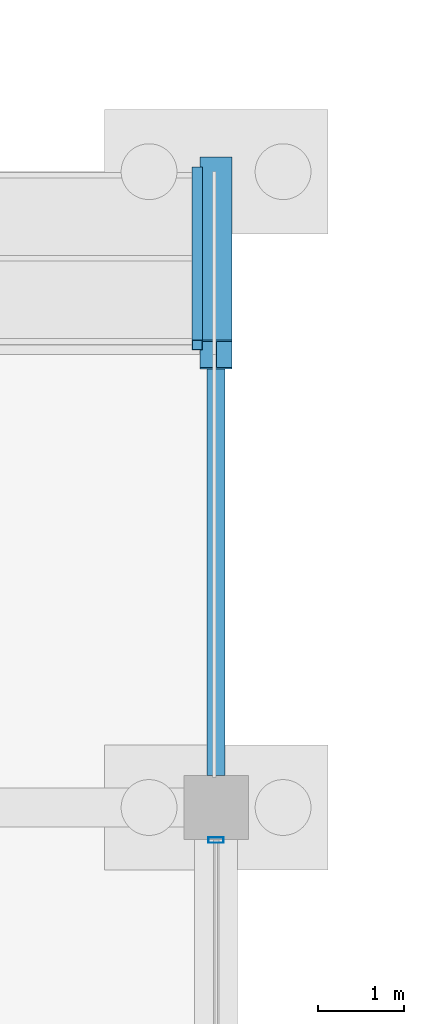
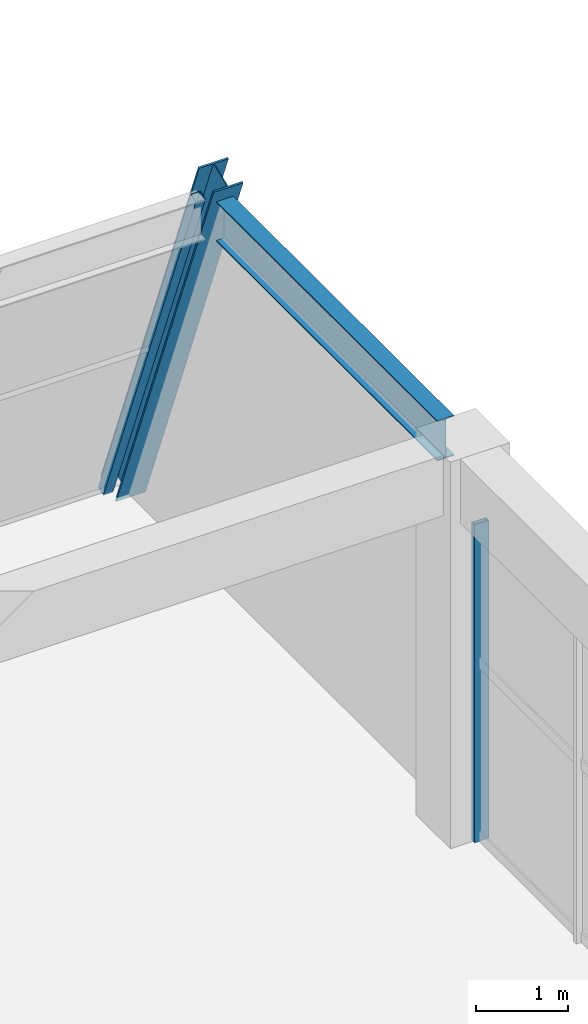
# One storey, part 70 of 140: 3 members, 1 beam, 2 elements without a shape of their own.
"""IFC4 building model written with IfcOpenShell, lengths in metres."""

import ifcopenshell
import ifcopenshell.guid

model = None  # the IFC model being written
_history = None  # IfcOwnerHistory: only IFC2X3 demands one
_inside = {}  # id of a spatial element -> (the spatial element, [elements in it])
_under = {}  # id of a project, library or spatial element -> (it, [spatial elements below it])
_declared = {}  # id of a project -> (the project, [libraries it declares])
_typed = {}  # id of a type object -> (the type object, [elements of that type])
_made_of = {}  # id of a material, layer set ... -> (it, [elements and type objects made of it])


def new_model(schema):
    """Start an empty IFC model of exactly this schema.

    Asked for "IFC4X3", IfcOpenShell would pick the latest addendum, in which some entities
    have other attributes; the version numbers below select the first issue.
    IFC2X3 requires an IfcOwnerHistory on every rooted entity: one is made here for all.
    """
    global model, _history
    if schema == "IFC4X3":
        model = ifcopenshell.file(schema_version=(4, 3, 0, 0))
    else:
        model = ifcopenshell.file(schema=schema)
    _inside.clear()
    _under.clear()
    _declared.clear()
    _typed.clear()
    _made_of.clear()
    _history = None
    if model.schema == "IFC2X3":
        org = make("IfcOrganization", Name="unknown")
        user = make(
            "IfcPersonAndOrganization",
            ThePerson=make("IfcPerson", FamilyName="unknown"),
            TheOrganization=org,
        )
        app = make(
            "IfcApplication",
            ApplicationDeveloper=org,
            Version="unknown",
            ApplicationFullName="unknown",
            ApplicationIdentifier="unknown",
        )
        _history = make(
            "IfcOwnerHistory",
            OwningUser=user,
            OwningApplication=app,
            ChangeAction="ADDED",
            CreationDate=0,
        )
    return model


def make(cls, **values):
    """One entity of the class cls with the attributes given. An attribute that is None is left unset."""
    return model.create_entity(
        cls, **{name: value for name, value in values.items() if value is not None}
    )


def rooted(cls, **values):
    """An entity with a GlobalId (a new one), such as an element, a storey or a relation."""
    return make(cls, GlobalId=ifcopenshell.guid.new(), OwnerHistory=_history, **values)


def si_unit(unit_type, name, prefix=None):
    """IfcSIUnit, for example si_unit("LENGTHUNIT", "METRE", prefix="MILLI")."""
    return make("IfcSIUnit", UnitType=unit_type, Prefix=prefix, Name=name)


def assignment(units):
    """IfcUnitAssignment: the units of a project."""
    return None if units is None else make("IfcUnitAssignment", Units=units)


def point(xyz):
    """IfcCartesianPoint."""
    return None if xyz is None else make("IfcCartesianPoint", Coordinates=xyz)


def direction(xyz):
    """IfcDirection."""
    return None if xyz is None else make("IfcDirection", DirectionRatios=xyz)


def frame(location, z_axis=None, x_axis=None):
    """IfcAxis2Placement3D, a coordinate frame: its origin and axes. An axis left out is left unset."""
    return make(
        "IfcAxis2Placement3D",
        Location=point(location),
        Axis=direction(z_axis),
        RefDirection=direction(x_axis),
    )


def frame_2d(location, x_axis=None):
    """IfcAxis2Placement2D, a coordinate frame in the plane: its origin and x axis."""
    return make(
        "IfcAxis2Placement2D", Location=point(location), RefDirection=direction(x_axis)
    )


def origin():
    """The frame at (0, 0, 0) with its axes left unset."""
    return frame((0.0, 0.0, 0.0))


def origin_2d():
    """The frame at (0, 0) in the plane with its x axis left unset."""
    return frame_2d((0.0, 0.0))


def place(relative_to, where):
    """IfcLocalPlacement: puts the frame where relative to a parent placement (None: the world)."""
    return make(
        "IfcLocalPlacement", PlacementRelTo=relative_to, RelativePlacement=where
    )


def context(
    kind, dimensions, precision=None, world=None, true_north=None, identifier=None
):
    """IfcGeometricRepresentationContext, for example the 3D "Model" context."""
    return make(
        "IfcGeometricRepresentationContext",
        ContextIdentifier=identifier,
        ContextType=kind,
        CoordinateSpaceDimension=dimensions,
        Precision=precision,
        WorldCoordinateSystem=world,
        TrueNorth=true_north,
    )


def subcontext(parent, identifier, kind, view, scale=None):
    """IfcGeometricRepresentationSubContext, for example "Body" below "Model"."""
    return make(
        "IfcGeometricRepresentationSubContext",
        ContextIdentifier=identifier,
        ContextType=kind,
        ParentContext=parent,
        TargetScale=scale,
        TargetView=view,
    )


def project(units=None, contexts=None):
    """IfcProject with its units and contexts."""
    return rooted(
        "IfcProject",
        Name="project",
        RepresentationContexts=contexts,
        UnitsInContext=assignment(units),
    )


def spatial(cls, under=None, at=None, **own):
    """A site, building, storey or space (cls), placed at a placement, below another one or the project."""
    s = rooted(cls, ObjectPlacement=at, **own)
    if under is not None:
        _under.setdefault(under.id(), (under, []))[1].append(s)
    return s


def profile(cls, at=None, kind="AREA", **sizes):
    """A parametric profile (cls). Its sizes go by their IFC names, for example OverallWidth=200.0."""
    return make(cls, ProfileType=kind, Position=at, **sizes)


def hollow_rectangle(**sizes):
    """IfcRectangleHollowProfileDef."""
    return profile("IfcRectangleHollowProfileDef", **sizes)


def i_section(**sizes):
    """IfcIShapeProfileDef."""
    return profile("IfcIShapeProfileDef", **sizes)


def extrude(swept, where, along, depth):
    """IfcExtrudedAreaSolid: the profile swept, set in the frame where, extruded along a direction by depth."""
    return make(
        "IfcExtrudedAreaSolid",
        SweptArea=swept,
        Position=where,
        ExtrudedDirection=direction(along),
        Depth=depth,
    )


def shape(context_of_items, identifier, shape_type, items):
    """IfcShapeRepresentation: the items that make up one representation, for example the "Body"."""
    return make(
        "IfcShapeRepresentation",
        ContextOfItems=context_of_items,
        RepresentationIdentifier=identifier,
        RepresentationType=shape_type,
        Items=items,
    )


def material(Name=None, Category=None):
    """IfcMaterial."""
    return make("IfcMaterial", Name=Name, Category=Category)


def material_profile(
    of_material, cross_section, Name=None, Category=None, Priority=None
):
    """IfcMaterialProfile: a cross section and its material."""
    return make(
        "IfcMaterialProfile",
        Name=Name,
        Material=of_material,
        Profile=cross_section,
        Priority=Priority,
        Category=Category,
    )


def profile_set(profiles, Name=None, composite=None):
    """IfcMaterialProfileSet."""
    return make(
        "IfcMaterialProfileSet",
        Name=Name,
        MaterialProfiles=profiles,
        CompositeProfile=composite,
    )


def made_of(thing, what):
    """Note that an element or type object is made of a material, layer set ...; save() writes the relation."""
    if what is not None:
        _made_of.setdefault(what.id(), (what, []))[1].append(thing)
    return thing


def type_object(cls, material=None, **own):
    """A type object (cls), such as IfcWallType, which elements share."""
    return made_of(rooted(cls, **own), material)


def element(
    cls,
    number,
    at=None,
    inside=None,
    cuts=None,
    type_object=None,
    material=None,
    context=None,
    identifier="Body",
    shape_type=None,
    held_by="IfcProductDefinitionShape",
    body=None,
    shapes=None,
    **own,
):
    """One element of the class cls, such as IfcWall. Its Tag is "e" and its number.

    at: its placement. inside: the storey or other place that contains it. cuts: it is an
    opening in that element (IfcRelVoidsElement). A single representation is given by context,
    identifier, shape_type and body (its items); several are given by shapes. held_by: the class
    of the entity that holds the representations. save() writes the other relations.
    """
    e = rooted(cls, Tag="e%d" % number, ObjectPlacement=at, **own)
    if body is not None:
        shapes = [shape(context, identifier, shape_type, body)]
    if shapes is not None:
        e.Representation = make(held_by, Representations=shapes)
    if inside is not None:
        _inside.setdefault(inside.id(), (inside, []))[1].append(e)
    if cuts is not None:
        rooted(
            "IfcRelVoidsElement", RelatingBuildingElement=cuts, RelatedOpeningElement=e
        )
    if type_object is not None:
        _typed.setdefault(type_object.id(), (type_object, []))[1].append(e)
    return made_of(e, material)


def aggregate(whole, parts):
    """IfcRelAggregates: a whole, such as a stair, and the parts it consists of."""
    return rooted("IfcRelAggregates", RelatingObject=whole, RelatedObjects=parts)


def save(model, path):
    """Write the relations noted so far, then the file.

    IfcRelAggregates (storeys below a building ...), IfcRelContainedInSpatialStructure (elements
    in a storey), IfcRelDefinesByType, IfcRelAssociatesMaterial and IfcRelDeclares: one each for
    every whole, place, type object, material and project.
    """
    for whole, parts in _under.values():
        aggregate(whole, parts)
    for where, things in _inside.values():
        rooted(
            "IfcRelContainedInSpatialStructure",
            RelatedElements=things,
            RelatingStructure=where,
        )
    for kind, things in _typed.values():
        rooted("IfcRelDefinesByType", RelatedObjects=things, RelatingType=kind)
    for what, things in _made_of.values():
        rooted("IfcRelAssociatesMaterial", RelatedObjects=things, RelatingMaterial=what)
    for by, libraries in _declared.values():
        rooted("IfcRelDeclares", RelatingContext=by, RelatedDefinitions=libraries)
    model.write(path)


model = new_model("IFC4")

# Units and contexts
model_context = context("Model", 3, precision=1e-05, world=origin(), true_north=direction((0.0, 1.0)))
body_context = subcontext(model_context, "Body", "Model", "MODEL_VIEW")
ifc_project = project(units=[si_unit("LENGTHUNIT", "METRE"), si_unit("AREAUNIT", "SQUARE_METRE"), si_unit("VOLUMEUNIT", "CUBIC_METRE"), si_unit("PLANEANGLEUNIT", "RADIAN"), si_unit("MASSUNIT", "GRAM", prefix="KILO")], contexts=[model_context])

# Site, building, storey
site_placement = place(None, origin())
site = spatial("IfcSite", under=ifc_project, at=site_placement, CompositionType="ELEMENT")
building_placement = place(site_placement, origin())
building = spatial("IfcBuilding", under=site, at=building_placement, Name="Cimatlan Art Gallery", CompositionType="ELEMENT")
storey_placement = place(building_placement, origin())
storey = spatial("IfcBuildingStorey", under=building, at=storey_placement, Name="L00", CompositionType="ELEMENT", Elevation=0.0)

# Beam
ifc_material_1 = material(Name="Steel ASTM A992 Grade 50", Category="steel")
ifc_material_profile_1 = material_profile(ifc_material_1, i_section(OverallWidth=0.2099609375, OverallDepth=0.532958984375, WebThickness=0.01025390625, FlangeThickness=0.015625, at=origin_2d()), Name="W21X62")
ifc_profile_set_1 = profile_set([ifc_material_profile_1], Name="Steel ASTM A992 Grade 50")
beam_type = type_object("IfcBeamType", Name="BM-STL-W21X62", PredefinedType="BEAM", material=ifc_profile_set_1)
beam_placement = place(storey_placement, frame((50.60009765625, 98.27490234375, 4.868408203125), z_axis=(0.0, 1.0, 0.0), x_axis=(-1.0, 0.0, 0.0)))
element("IfcBeam", 1, at=beam_placement, inside=storey, type_object=beam_type, Name="BM-PRW-Y-L00-B2-6", PredefinedType="BEAM", context=body_context, shape_type="SweptSolid", body=[
    extrude(i_section(OverallWidth=0.2099609375, OverallDepth=0.532958984375, WebThickness=0.01025390625, FlangeThickness=0.015625, at=origin_2d()), origin(), (0.0, 0.0, 1.0), 4.8125),
])

# Curtain wall, member
ifc_material_2 = material(Name="Anodised bronze unitised curtain wall")
curtain_wall_type_1 = type_object("IfcCurtainWallType", Name="CW-V-06642X04225-B3", PredefinedType="NOTDEFINED", material=ifc_material_2)
curtain_wall_1_placement = place(storey_placement, origin())
curtain_wall_1 = element("IfcCurtainWall", 2, at=curtain_wall_1_placement, inside=storey, type_object=curtain_wall_type_1, Name="CW-L00-05-12-E", PredefinedType="NOTDEFINED")
ifc_material_3 = material(Name="Anodised bronze aluminium 6063-T6", Category="aluminium")
ifc_material_profile_2 = material_profile(ifc_material_3, hollow_rectangle(XDim=0.06494140625, YDim=0.179931640625, WallThickness=0.00390625, at=origin_2d()), Name="ALU65X180X4")
ifc_profile_set_2 = profile_set([ifc_material_profile_2], Name="Anodised bronze aluminium 6063-T6")
member_type_1 = type_object("IfcMemberType", Name="CW-MUL-180", PredefinedType="MULLION", material=ifc_profile_set_2)
member_1_placement = place(storey_placement, frame((50.60009765625, 97.52099609375, 0.0), z_axis=(0.0, 0.0, 1.0), x_axis=(0.0, 1.0, 0.0)))
member_1 = element("IfcMember", 3, at=member_1_placement, type_object=member_type_1, Name="CW-L00-05-12-E-M1", PredefinedType="MULLION", context=body_context, shape_type="SweptSolid", body=[
    extrude(hollow_rectangle(XDim=0.06494140625, YDim=0.179931640625, WallThickness=0.00390625, at=origin_2d()), origin(), (0.0, 0.0, 1.0), 4.22509765625),
])
aggregate(curtain_wall_1, [member_1])

ifc_material_4 = material(Name="Raked steel-and-bronze lancet curtain wall", Category="steel")
curtain_wall_type_2 = type_object("IfcCurtainWallType", Name="CW-RAK-07660X05503-B3", PredefinedType="NOTDEFINED", material=ifc_material_4)
curtain_wall_2_placement = place(storey_placement, origin())
curtain_wall_2 = element("IfcCurtainWall", 4, at=curtain_wall_2_placement, inside=storey, type_object=curtain_wall_type_2, Name="CW-PROW-L00-B2-5", PredefinedType="NOTDEFINED")
ifc_material_5 = material(Name="Steel ASTM A500 Grade C", Category="steel")
ifc_material_profile_3 = material_profile(ifc_material_5, hollow_rectangle(XDim=0.1201171875, YDim=0.1201171875, WallThickness=0.00634765625, at=origin_2d()), Name="HSS120X120X6")
ifc_profile_set_3 = profile_set([ifc_material_profile_3], Name="Steel ASTM A500 Grade C")
member_type_2 = type_object("IfcMemberType", Name="CW-MUL-RAK", PredefinedType="MULLION", material=ifc_profile_set_3)
member_2_placement = place(storey_placement, frame((50.3798828125, 105.300048828125, 0.0), z_axis=(0.0, -0.366497751223, 0.930418937011), x_axis=(1.0, 0.0, 0.0)))
member_2 = element("IfcMember", 5, at=member_2_placement, type_object=member_type_2, Name="CW-PROW-L00-B2-5-M4", PredefinedType="MULLION", context=body_context, shape_type="SweptSolid", body=[
    extrude(hollow_rectangle(XDim=0.1201171875, YDim=0.1201171875, WallThickness=0.00634765625, at=origin_2d()), origin(), (0.0, 0.0, 1.0), 5.5029296875),
])
aggregate(curtain_wall_2, [member_2])

# Member
ifc_material_profile_4 = material_profile(ifc_material_1, i_section(OverallWidth=0.37109375, OverallDepth=0.364013671875, WebThickness=0.01318359375, FlangeThickness=0.021728515625, at=origin_2d()), Name="W14X109")
ifc_profile_set_4 = profile_set([ifc_material_profile_4], Name="Steel ASTM A992 Grade 50")
member_type_3 = type_object("IfcMemberType", Name="MBR-RAK-W14X109", PredefinedType="RAFTER", material=ifc_profile_set_4)
member_3_placement = place(storey_placement, frame((50.60009765625, 105.300048828125, 0.0), z_axis=(0.0, -0.366519001006, 0.93041056631), x_axis=(1.0, 0.0, 0.0)))
element("IfcMember", 6, at=member_3_placement, inside=storey, type_object=member_type_3, Name="MBR-RAK-L00-B2-06", PredefinedType="RAFTER", context=body_context, shape_type="SweptSolid", body=[
    extrude(i_section(OverallWidth=0.37109375, OverallDepth=0.364013671875, WebThickness=0.01318359375, FlangeThickness=0.021728515625, at=origin_2d()), origin(), (0.0, 0.0, 1.0), 5.8037109375),
])

save(model, "model.ifc")
